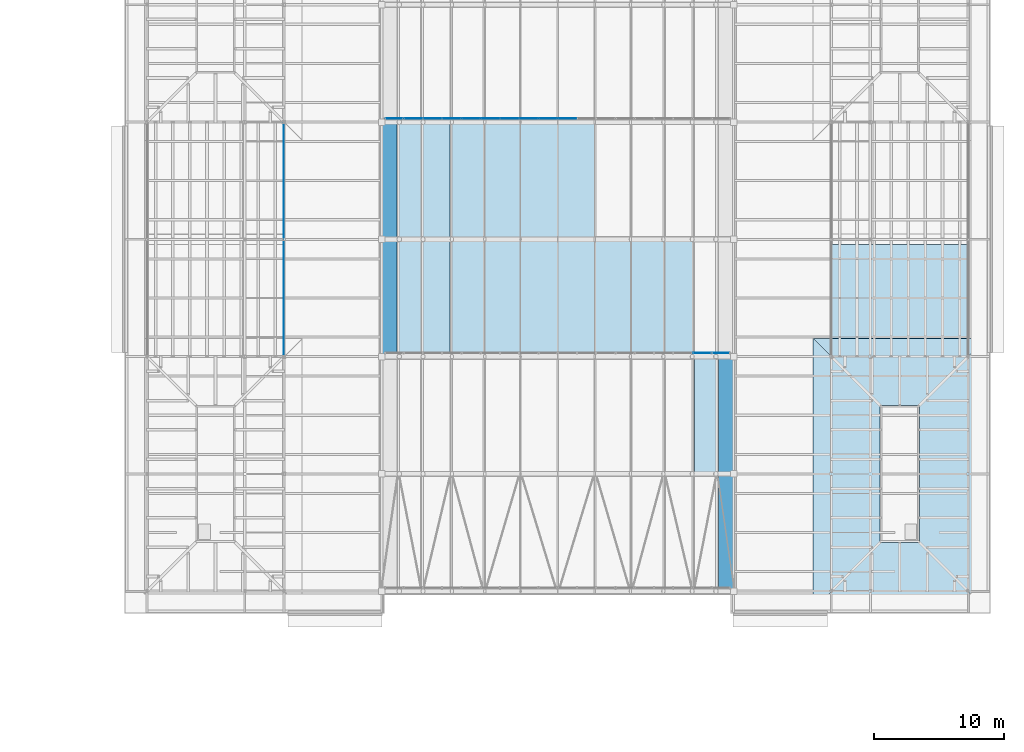
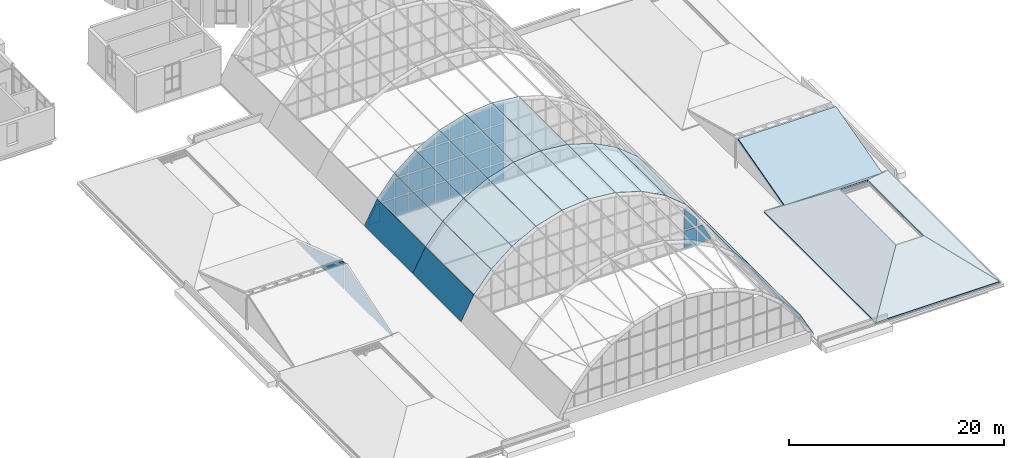
# One storey, part 77 of 121: 58 plates, 5 slabs, 2 elements without a shape of their own.
"""IFC4 building model written with IfcOpenShell, lengths in metres."""

from ifc_helpers import new_model, si_unit, direction, frame, origin, place, context, subcontext, project, spatial, polyline, outline, extrude, material, layer, layer_set, type_object, element, aggregate, save


model = new_model("IFC4")

# Units and contexts
model_context = context("Model", 3, precision=1e-05, world=origin(), true_north=direction((0.0, 1.0)))
body_context = subcontext(model_context, "Body", "Model", "MODEL_VIEW")
ifc_project = project(units=[si_unit("LENGTHUNIT", "METRE"), si_unit("AREAUNIT", "SQUARE_METRE"), si_unit("VOLUMEUNIT", "CUBIC_METRE"), si_unit("PLANEANGLEUNIT", "RADIAN"), si_unit("MASSUNIT", "GRAM", prefix="KILO")], contexts=[model_context])

# Site, building, storey
site_placement = place(None, origin())
site = spatial("IfcSite", under=ifc_project, at=site_placement, CompositionType="ELEMENT")
building_placement = place(site_placement, origin())
building = spatial("IfcBuilding", under=site, at=building_placement, Name="Golden Quay Civic Hall", CompositionType="ELEMENT")
storey_placement = place(building_placement, frame((0.0, 0.0, 18.60009765625)))
storey = spatial("IfcBuildingStorey", under=building, at=storey_placement, Name="L04", CompositionType="ELEMENT", Elevation=18.60009765625)

# Slabs
ifc_material_1 = material(Name="Concrete C35/45", Category="concrete")
ifc_layer_1 = layer(ifc_material_1, 0.14990234375)
ifc_layer_set_1 = layer_set([ifc_layer_1], Name="Concrete roof deck 150, Concrete C35/45")
slab_type = type_object("IfcSlabType", Name="Concrete roof deck 150", PredefinedType="ROOF", material=ifc_layer_set_1)
slab_1_placement = place(storey_placement, frame((105.10009765625, -1.39990234375, 0.18994140625), z_axis=(0.0, -0.600012135945, 0.799990897897), x_axis=(1.0, 0.0, 0.0)))
element("IfcSlab", 1, at=slab_1_placement, inside=storey, type_object=slab_type, Name="Roof deck EM-S south", PredefinedType="ROOF", context=body_context, shape_type="SweptSolid", body=[
    extrude(outline(polyline([(0.0, 0.0), (13.2998046875, 0.0), (8.14990234375, 6.437451172615724), (5.14990234375, 6.437451172615724), (0.0, 0.0)])), origin(), (0.0, -0.600012135945, -0.799990897897), 0.1875),
])
slab_2_placement = place(storey_placement, frame((105.10009765625, 19.39990234375, 0.18994140625), z_axis=(0.0, 0.600012135945, 0.799990897897), x_axis=(1.0, 0.0, 0.0)))
element("IfcSlab", 2, at=slab_2_placement, inside=storey, type_object=slab_type, Name="Roof deck EM-S north", PredefinedType="ROOF", context=body_context, shape_type="SweptSolid", body=[
    extrude(outline(polyline([(0.0, 0.0), (13.2998046875, 0.0), (8.14990234375, -6.437451172615724), (5.14990234375, -6.437451172615724), (0.0, 0.0)])), origin(), (0.0, 0.600012135945, -0.799990897897), 0.1875),
])
slab_3_placement = place(storey_placement, frame((105.10009765625, -1.39990234375, 0.18994140625), z_axis=(-0.600012135945, 0.0, 0.799990897897), x_axis=(0.0, 1.0, 0.0)))
element("IfcSlab", 3, at=slab_3_placement, inside=storey, type_object=slab_type, Name="Roof deck EM-S west", PredefinedType="ROOF", context=body_context, shape_type="SweptSolid", body=[
    extrude(outline(polyline([(0.0, 0.0), (20.7998046875, 0.0), (15.64990234375, -6.437451172615724), (5.14990234375, -6.437451172615724), (0.0, 0.0)])), origin(), (0.0, 0.600012135945, -0.799990897897), 0.1875),
])
slab_4_placement = place(storey_placement, frame((118.39990234375, -1.39990234375, 0.18994140625), z_axis=(0.600012135945, 0.0, 0.799990897897), x_axis=(0.0, 1.0, 0.0)))
element("IfcSlab", 4, at=slab_4_placement, inside=storey, type_object=slab_type, Name="Roof deck EM-S east", PredefinedType="ROOF", context=body_context, shape_type="SweptSolid", body=[
    extrude(outline(polyline([(0.0, 0.0), (20.7998046875, 0.0), (15.64990234375, 6.437451172615724), (5.14990234375, 6.437451172615724), (0.0, 0.0)])), origin(), (0.0, -0.600012135945, -0.799990897897), 0.1875),
])
slab_5_placement = place(storey_placement, frame((106.5, 18.0, 1.2421875), z_axis=(0.0, -0.262171514748, 0.965021293472), x_axis=(1.0, 0.0, 0.0)))
element("IfcSlab", 5, at=slab_5_placement, inside=storey, type_object=slab_type, Name="Roof deck gable south", PredefinedType="ROOF", context=body_context, shape_type="SweptSolid", body=[
    extrude(outline(polyline([(0.0, 0.0), (10.5, 0.0), (10.5, 8.91182165038812), (0.0, 8.91182165038812), (0.0, 0.0)])), origin(), (0.0, -0.262171514748, -0.965021293472), 0.155517578125),
])

# Curtain wall, plates
ifc_material_2 = material(Name="Fire-resisting glass and steel", Category="steel")
curtain_wall_type = type_object("IfcCurtainWallType", Name="Fire-resisting glazed curtain wall EI 120", PredefinedType="NOTDEFINED", material=ifc_material_2)
curtain_wall_1_placement = place(storey_placement, origin())
curtain_wall_1 = element("IfcCurtainWall", 6, at=curtain_wall_1_placement, inside=storey, type_object=curtain_wall_type, Name="Curtain wall tympanum fire1", PredefinedType="NOTDEFINED")
ifc_material_3 = material(Name="Fire-resisting laminated glass", Category="glass")
ifc_layer_2 = layer(ifc_material_3, 0.0400390625)
ifc_layer_set_2 = layer_set([ifc_layer_2], Name="Fire-resisting glazed panel 40")
plate_type_1 = type_object("IfcPlateType", Name="Fire-resisting glazed panel 40", PredefinedType="CURTAIN_PANEL", material=ifc_layer_set_2)
plate_1_placement = place(storey_placement, frame((97.26220703125, 18.2900390625, -0.130126953125), z_axis=(0.0, 1.0, 0.0), x_axis=(-1.0, 0.0, 0.0)))
plate_1 = element("IfcPlate", 7, at=plate_1_placement, type_object=plate_type_1, Name="Tympanum glass 17.1", PredefinedType="CURTAIN_PANEL", context=body_context, shape_type="SweptSolid", body=[
    extrude(outline(polyline([(0.0, 0.0), (1.357666015625, 0.0), (1.357666015625, 2.02001953125), (0.0, 2.02001953125), (0.0, 0.0)])), origin(), (0.0, 0.0, -1.0), 0.0400390625),
])
plate_2_placement = place(storey_placement, frame((97.26220703125, 18.2900390625, 2.06982421875), z_axis=(0.0, 1.0, 0.0), x_axis=(-1.0, 0.0, 0.0)))
plate_2 = element("IfcPlate", 8, at=plate_2_placement, type_object=plate_type_1, Name="Tympanum glass 17.2", PredefinedType="CURTAIN_PANEL", context=body_context, shape_type="SweptSolid", body=[
    extrude(outline(polyline([(0.0, 0.0), (1.357666015625, 0.0), (1.357666015625, 2.3271484375), (0.0, 0.677978515625), (0.0, 0.0)])), origin(), (0.0, 0.0, -1.0), 0.0400390625),
])
plate_3_placement = place(storey_placement, frame((98.679931640625, 18.2900390625, -0.130126953125), z_axis=(0.0, 1.0, 0.0), x_axis=(-1.0, 0.0, 0.0)))
plate_3 = element("IfcPlate", 9, at=plate_3_placement, type_object=plate_type_1, Name="Tympanum glass 18.1", PredefinedType="CURTAIN_PANEL", context=body_context, shape_type="SweptSolid", body=[
    extrude(outline(polyline([(0.0, 0.0), (1.297607421875, 0.0), (1.297607421875, 2.02001953125), (0.8349609375, 2.02001953125), (0.0, 0.37646484375), (0.0, 0.0)])), origin(), (0.0, 0.0, -1.0), 0.0400390625),
])
aggregate(curtain_wall_1, [plate_1, plate_2, plate_3])

curtain_wall_2_placement = place(storey_placement, origin())
curtain_wall_2 = element("IfcCurtainWall", 10, at=curtain_wall_2_placement, inside=storey, type_object=curtain_wall_type, Name="Curtain wall tympanum fire2", PredefinedType="NOTDEFINED")
plate_4_placement = place(storey_placement, frame((73.61767578125, 36.2900390625, -0.130126953125), z_axis=(0.0, 1.0, 0.0), x_axis=(-1.0, 0.0, 0.0)))
plate_4 = element("IfcPlate", 11, at=plate_4_placement, type_object=plate_type_1, Name="Tympanum glass 1.1", PredefinedType="CURTAIN_PANEL", context=body_context, shape_type="SweptSolid", body=[
    extrude(outline(polyline([(0.0, 0.0), (1.297607421875, 0.0), (1.297607421875, 0.37646484375), (0.4150390625, 2.02001953125), (0.0, 2.02001953125), (0.0, 0.0)])), origin(), (0.0, 0.0, -1.0), 0.0400390625),
])
plate_5_placement = place(storey_placement, frame((75.095458984375, 36.2900390625, -0.130126953125), z_axis=(0.0, 1.0, 0.0), x_axis=(-1.0, 0.0, 0.0)))
plate_5 = element("IfcPlate", 12, at=plate_5_placement, type_object=plate_type_1, Name="Tympanum glass 2.1", PredefinedType="CURTAIN_PANEL", context=body_context, shape_type="SweptSolid", body=[
    extrude(outline(polyline([(0.0, 0.0), (1.357666015625, 0.0), (1.357666015625, 2.02001953125), (0.0, 2.02001953125), (0.0, 0.0)])), origin(), (0.0, 0.0, -1.0), 0.0400390625),
])
plate_6_placement = place(storey_placement, frame((75.095458984375, 36.2900390625, 2.06982421875), z_axis=(0.0, 1.0, 0.0), x_axis=(-1.0, 0.0, 0.0)))
plate_6 = element("IfcPlate", 13, at=plate_6_placement, type_object=plate_type_1, Name="Tympanum glass 2.2", PredefinedType="CURTAIN_PANEL", context=body_context, shape_type="SweptSolid", body=[
    extrude(outline(polyline([(0.0, 0.0), (1.357666015625, 0.0), (1.357666015625, 0.677978515625), (0.0, 2.3271484375), (0.0, 0.0)])), origin(), (0.0, 0.0, -1.0), 0.0400390625),
])
plate_7_placement = place(storey_placement, frame((76.5732421875, 36.2900390625, -0.130126953125), z_axis=(0.0, 1.0, 0.0), x_axis=(-1.0, 0.0, 0.0)))
plate_7 = element("IfcPlate", 14, at=plate_7_placement, type_object=plate_type_1, Name="Tympanum glass 3.1", PredefinedType="CURTAIN_PANEL", context=body_context, shape_type="SweptSolid", body=[
    extrude(outline(polyline([(0.0, 0.0), (1.357666015625, 0.0), (1.357666015625, 2.02001953125), (0.0, 2.02001953125), (0.0, 0.0)])), origin(), (0.0, 0.0, -1.0), 0.0400390625),
])
plate_8_placement = place(storey_placement, frame((76.5732421875, 36.2900390625, 2.06982421875), z_axis=(0.0, 1.0, 0.0), x_axis=(-1.0, 0.0, 0.0)))
plate_8 = element("IfcPlate", 15, at=plate_8_placement, type_object=plate_type_1, Name="Tympanum glass 3.2", PredefinedType="CURTAIN_PANEL", context=body_context, shape_type="SweptSolid", body=[
    extrude(outline(polyline([(0.0, 0.0), (1.357666015625, 0.0), (1.357666015625, 2.02001953125), (0.0, 2.02001953125), (0.0, 0.0)])), origin(), (0.0, 0.0, -1.0), 0.0400390625),
])
plate_9_placement = place(storey_placement, frame((76.5732421875, 36.2900390625, 4.27001953125), z_axis=(0.0, 1.0, 0.0), x_axis=(-1.0, 0.0, 0.0)))
plate_9 = element("IfcPlate", 16, at=plate_9_placement, type_object=plate_type_1, Name="Tympanum glass 3.3", PredefinedType="CURTAIN_PANEL", context=body_context, shape_type="SweptSolid", body=[
    extrude(outline(polyline([(0.0, 0.0), (1.357666015625, 0.0), (1.357666015625, 0.31298828125), (0.0, 1.424560546875), (0.0, 0.0)])), origin(), (0.0, 0.0, -1.0), 0.0400390625),
])
plate_10_placement = place(storey_placement, frame((78.051025390625, 36.2900390625, -0.130126953125), z_axis=(0.0, 1.0, 0.0), x_axis=(-1.0, 0.0, 0.0)))
plate_10 = element("IfcPlate", 17, at=plate_10_placement, type_object=plate_type_1, Name="Tympanum glass 4.1", PredefinedType="CURTAIN_PANEL", context=body_context, shape_type="SweptSolid", body=[
    extrude(outline(polyline([(0.0, 0.0), (1.357666015625, 0.0), (1.357666015625, 2.02001953125), (0.0, 2.02001953125), (0.0, 0.0)])), origin(), (0.0, 0.0, -1.0), 0.0400390625),
])
plate_11_placement = place(storey_placement, frame((78.051025390625, 36.2900390625, 2.06982421875), z_axis=(0.0, 1.0, 0.0), x_axis=(-1.0, 0.0, 0.0)))
plate_11 = element("IfcPlate", 18, at=plate_11_placement, type_object=plate_type_1, Name="Tympanum glass 4.2", PredefinedType="CURTAIN_PANEL", context=body_context, shape_type="SweptSolid", body=[
    extrude(outline(polyline([(0.0, 0.0), (1.357666015625, 0.0), (1.357666015625, 2.02001953125), (0.0, 2.02001953125), (0.0, 0.0)])), origin(), (0.0, 0.0, -1.0), 0.0400390625),
])
plate_12_placement = place(storey_placement, frame((78.051025390625, 36.2900390625, 4.27001953125), z_axis=(0.0, 1.0, 0.0), x_axis=(-1.0, 0.0, 0.0)))
plate_12 = element("IfcPlate", 19, at=plate_12_placement, type_object=plate_type_1, Name="Tympanum glass 4.3", PredefinedType="CURTAIN_PANEL", context=body_context, shape_type="SweptSolid", body=[
    extrude(outline(polyline([(0.0, 0.0), (1.357666015625, 0.0), (1.357666015625, 1.522705078125), (0.75048828125, 2.019775390625), (0.0, 2.019775390625), (0.0, 0.0)])), origin(), (0.0, 0.0, -1.0), 0.0400390625),
])
plate_13_placement = place(storey_placement, frame((79.52880859375, 36.2900390625, -0.130126953125), z_axis=(0.0, 1.0, 0.0), x_axis=(-1.0, 0.0, 0.0)))
plate_13 = element("IfcPlate", 20, at=plate_13_placement, type_object=plate_type_1, Name="Tympanum glass 5.1", PredefinedType="CURTAIN_PANEL", context=body_context, shape_type="SweptSolid", body=[
    extrude(outline(polyline([(0.0, 0.0), (1.357666015625, 0.0), (1.357666015625, 2.02001953125), (0.0, 2.02001953125), (0.0, 0.0)])), origin(), (0.0, 0.0, -1.0), 0.0400390625),
])
plate_14_placement = place(storey_placement, frame((79.52880859375, 36.2900390625, 2.06982421875), z_axis=(0.0, 1.0, 0.0), x_axis=(-1.0, 0.0, 0.0)))
plate_14 = element("IfcPlate", 21, at=plate_14_placement, type_object=plate_type_1, Name="Tympanum glass 5.2", PredefinedType="CURTAIN_PANEL", context=body_context, shape_type="SweptSolid", body=[
    extrude(outline(polyline([(0.0, 0.0), (1.357666015625, 0.0), (1.357666015625, 2.02001953125), (0.0, 2.02001953125), (0.0, 0.0)])), origin(), (0.0, 0.0, -1.0), 0.0400390625),
])
plate_15_placement = place(storey_placement, frame((79.52880859375, 36.2900390625, 4.27001953125), z_axis=(0.0, 1.0, 0.0), x_axis=(-1.0, 0.0, 0.0)))
plate_15 = element("IfcPlate", 22, at=plate_15_placement, type_object=plate_type_1, Name="Tympanum glass 5.3", PredefinedType="CURTAIN_PANEL", context=body_context, shape_type="SweptSolid", body=[
    extrude(outline(polyline([(0.0, 0.0), (1.357666015625, 0.0), (1.357666015625, 2.019775390625), (0.0, 2.019775390625), (0.0, 0.0)])), origin(), (0.0, 0.0, -1.0), 0.0400390625),
])
plate_16_placement = place(storey_placement, frame((79.52880859375, 36.2900390625, 6.469970703125), z_axis=(0.0, 1.0, 0.0), x_axis=(-1.0, 0.0, 0.0)))
plate_16 = element("IfcPlate", 23, at=plate_16_placement, type_object=plate_type_1, Name="Tympanum glass 5.4", PredefinedType="CURTAIN_PANEL", context=body_context, shape_type="SweptSolid", body=[
    extrude(outline(polyline([(0.0, 0.0), (1.357666015625, 0.0), (1.357666015625, 0.34130859375), (0.0, 1.065673828125), (0.0, 0.0)])), origin(), (0.0, 0.0, -1.0), 0.0400390625),
])
plate_17_placement = place(storey_placement, frame((81.006591796875, 36.2900390625, -0.130126953125), z_axis=(0.0, 1.0, 0.0), x_axis=(-1.0, 0.0, 0.0)))
plate_17 = element("IfcPlate", 24, at=plate_17_placement, type_object=plate_type_1, Name="Tympanum glass 6.1", PredefinedType="CURTAIN_PANEL", context=body_context, shape_type="SweptSolid", body=[
    extrude(outline(polyline([(0.0, 0.0), (1.357666015625, 0.0), (1.357666015625, 2.02001953125), (0.0, 2.02001953125), (0.0, 0.0)])), origin(), (0.0, 0.0, -1.0), 0.0400390625),
])
plate_18_placement = place(storey_placement, frame((81.006591796875, 36.2900390625, 2.06982421875), z_axis=(0.0, 1.0, 0.0), x_axis=(-1.0, 0.0, 0.0)))
plate_18 = element("IfcPlate", 25, at=plate_18_placement, type_object=plate_type_1, Name="Tympanum glass 6.2", PredefinedType="CURTAIN_PANEL", context=body_context, shape_type="SweptSolid", body=[
    extrude(outline(polyline([(0.0, 0.0), (1.357666015625, 0.0), (1.357666015625, 2.02001953125), (0.0, 2.02001953125), (0.0, 0.0)])), origin(), (0.0, 0.0, -1.0), 0.0400390625),
])
plate_19_placement = place(storey_placement, frame((81.006591796875, 36.2900390625, 4.27001953125), z_axis=(0.0, 1.0, 0.0), x_axis=(-1.0, 0.0, 0.0)))
plate_19 = element("IfcPlate", 26, at=plate_19_placement, type_object=plate_type_1, Name="Tympanum glass 6.3", PredefinedType="CURTAIN_PANEL", context=body_context, shape_type="SweptSolid", body=[
    extrude(outline(polyline([(0.0, 0.0), (1.357666015625, 0.0), (1.357666015625, 2.019775390625), (0.0, 2.019775390625), (0.0, 0.0)])), origin(), (0.0, 0.0, -1.0), 0.0400390625),
])
plate_20_placement = place(storey_placement, frame((81.006591796875, 36.2900390625, 6.469970703125), z_axis=(0.0, 1.0, 0.0), x_axis=(-1.0, 0.0, 0.0)))
plate_20 = element("IfcPlate", 27, at=plate_20_placement, type_object=plate_type_1, Name="Tympanum glass 6.4", PredefinedType="CURTAIN_PANEL", context=body_context, shape_type="SweptSolid", body=[
    extrude(outline(polyline([(0.0, 0.0), (1.357666015625, 0.0), (1.357666015625, 1.129638671875), (1.093994140625, 1.270263671875), (0.0, 1.619384765625), (0.0, 0.0)])), origin(), (0.0, 0.0, -1.0), 0.0400390625),
])
plate_21_placement = place(storey_placement, frame((82.484375, 36.2900390625, -0.130126953125), z_axis=(0.0, 1.0, 0.0), x_axis=(-1.0, 0.0, 0.0)))
plate_21 = element("IfcPlate", 28, at=plate_21_placement, type_object=plate_type_1, Name="Tympanum glass 7.1", PredefinedType="CURTAIN_PANEL", context=body_context, shape_type="SweptSolid", body=[
    extrude(outline(polyline([(0.0, 0.0), (1.357666015625, 0.0), (1.357666015625, 2.02001953125), (0.0, 2.02001953125), (0.0, 0.0)])), origin(), (0.0, 0.0, -1.0), 0.0400390625),
])
plate_22_placement = place(storey_placement, frame((82.484375, 36.2900390625, 2.06982421875), z_axis=(0.0, 1.0, 0.0), x_axis=(-1.0, 0.0, 0.0)))
plate_22 = element("IfcPlate", 29, at=plate_22_placement, type_object=plate_type_1, Name="Tympanum glass 7.2", PredefinedType="CURTAIN_PANEL", context=body_context, shape_type="SweptSolid", body=[
    extrude(outline(polyline([(0.0, 0.0), (1.357666015625, 0.0), (1.357666015625, 2.02001953125), (0.0, 2.02001953125), (0.0, 0.0)])), origin(), (0.0, 0.0, -1.0), 0.0400390625),
])
plate_23_placement = place(storey_placement, frame((82.484375, 36.2900390625, 4.27001953125), z_axis=(0.0, 1.0, 0.0), x_axis=(-1.0, 0.0, 0.0)))
plate_23 = element("IfcPlate", 30, at=plate_23_placement, type_object=plate_type_1, Name="Tympanum glass 7.3", PredefinedType="CURTAIN_PANEL", context=body_context, shape_type="SweptSolid", body=[
    extrude(outline(polyline([(0.0, 0.0), (1.357666015625, 0.0), (1.357666015625, 2.019775390625), (0.0, 2.019775390625), (0.0, 0.0)])), origin(), (0.0, 0.0, -1.0), 0.0400390625),
])
plate_24_placement = place(storey_placement, frame((82.484375, 36.2900390625, 6.469970703125), z_axis=(0.0, 1.0, 0.0), x_axis=(-1.0, 0.0, 0.0)))
plate_24 = element("IfcPlate", 31, at=plate_24_placement, type_object=plate_type_1, Name="Tympanum glass 7.4", PredefinedType="CURTAIN_PANEL", context=body_context, shape_type="SweptSolid", body=[
    extrude(outline(polyline([(0.0, 0.0), (1.357666015625, 0.0), (1.357666015625, 1.65576171875), (0.0, 2.06689453125), (0.0, 0.0)])), origin(), (0.0, 0.0, -1.0), 0.0400390625),
])
plate_25_placement = place(storey_placement, frame((83.962158203125, 36.2900390625, -0.130126953125), z_axis=(0.0, 1.0, 0.0), x_axis=(-1.0, 0.0, 0.0)))
plate_25 = element("IfcPlate", 32, at=plate_25_placement, type_object=plate_type_1, Name="Tympanum glass 8.1", PredefinedType="CURTAIN_PANEL", context=body_context, shape_type="SweptSolid", body=[
    extrude(outline(polyline([(0.0, 0.0), (1.357666015625, 0.0), (1.357666015625, 2.02001953125), (0.0, 2.02001953125), (0.0, 0.0)])), origin(), (0.0, 0.0, -1.0), 0.0400390625),
])
plate_26_placement = place(storey_placement, frame((83.962158203125, 36.2900390625, 2.06982421875), z_axis=(0.0, 1.0, 0.0), x_axis=(-1.0, 0.0, 0.0)))
plate_26 = element("IfcPlate", 33, at=plate_26_placement, type_object=plate_type_1, Name="Tympanum glass 8.2", PredefinedType="CURTAIN_PANEL", context=body_context, shape_type="SweptSolid", body=[
    extrude(outline(polyline([(0.0, 0.0), (1.357666015625, 0.0), (1.357666015625, 2.02001953125), (0.0, 2.02001953125), (0.0, 0.0)])), origin(), (0.0, 0.0, -1.0), 0.0400390625),
])
plate_27_placement = place(storey_placement, frame((83.962158203125, 36.2900390625, 4.27001953125), z_axis=(0.0, 1.0, 0.0), x_axis=(-1.0, 0.0, 0.0)))
plate_27 = element("IfcPlate", 34, at=plate_27_placement, type_object=plate_type_1, Name="Tympanum glass 8.3", PredefinedType="CURTAIN_PANEL", context=body_context, shape_type="SweptSolid", body=[
    extrude(outline(polyline([(0.0, 0.0), (1.357666015625, 0.0), (1.357666015625, 2.019775390625), (0.0, 2.019775390625), (0.0, 0.0)])), origin(), (0.0, 0.0, -1.0), 0.0400390625),
])
plate_28_placement = place(storey_placement, frame((83.962158203125, 36.2900390625, 6.469970703125), z_axis=(0.0, 1.0, 0.0), x_axis=(-1.0, 0.0, 0.0)))
plate_28 = element("IfcPlate", 35, at=plate_28_placement, type_object=plate_type_1, Name="Tympanum glass 8.4", PredefinedType="CURTAIN_PANEL", context=body_context, shape_type="SweptSolid", body=[
    extrude(outline(polyline([(0.0, 0.0), (1.357666015625, 0.0), (1.357666015625, 2.103271484375), (1.310302734375, 2.11767578125), (0.0, 2.254638671875), (0.0, 0.0)])), origin(), (0.0, 0.0, -1.0), 0.0400390625),
])
plate_29_placement = place(storey_placement, frame((85.43994140625, 36.2900390625, -0.130126953125), z_axis=(0.0, 1.0, 0.0), x_axis=(-1.0, 0.0, 0.0)))
plate_29 = element("IfcPlate", 36, at=plate_29_placement, type_object=plate_type_1, Name="Tympanum glass 9.1", PredefinedType="CURTAIN_PANEL", context=body_context, shape_type="SweptSolid", body=[
    extrude(outline(polyline([(0.0, 0.0), (1.357666015625, 0.0), (1.357666015625, 2.02001953125), (0.0, 2.02001953125), (0.0, 0.0)])), origin(), (0.0, 0.0, -1.0), 0.0400390625),
])
plate_30_placement = place(storey_placement, frame((85.43994140625, 36.2900390625, 2.06982421875), z_axis=(0.0, 1.0, 0.0), x_axis=(-1.0, 0.0, 0.0)))
plate_30 = element("IfcPlate", 37, at=plate_30_placement, type_object=plate_type_1, Name="Tympanum glass 9.2", PredefinedType="CURTAIN_PANEL", context=body_context, shape_type="SweptSolid", body=[
    extrude(outline(polyline([(0.0, 0.0), (1.357666015625, 0.0), (1.357666015625, 2.02001953125), (0.0, 2.02001953125), (0.0, 0.0)])), origin(), (0.0, 0.0, -1.0), 0.0400390625),
])
plate_31_placement = place(storey_placement, frame((85.43994140625, 36.2900390625, 4.27001953125), z_axis=(0.0, 1.0, 0.0), x_axis=(-1.0, 0.0, 0.0)))
plate_31 = element("IfcPlate", 38, at=plate_31_placement, type_object=plate_type_1, Name="Tympanum glass 9.3", PredefinedType="CURTAIN_PANEL", context=body_context, shape_type="SweptSolid", body=[
    extrude(outline(polyline([(0.0, 0.0), (1.357666015625, 0.0), (1.357666015625, 2.019775390625), (0.0, 2.019775390625), (0.0, 0.0)])), origin(), (0.0, 0.0, -1.0), 0.0400390625),
])
plate_32_placement = place(storey_placement, frame((85.43994140625, 36.2900390625, 6.469970703125), z_axis=(0.0, 1.0, 0.0), x_axis=(-1.0, 0.0, 0.0)))
plate_32 = element("IfcPlate", 39, at=plate_32_placement, type_object=plate_type_1, Name="Tympanum glass 9.4", PredefinedType="CURTAIN_PANEL", context=body_context, shape_type="SweptSolid", body=[
    extrude(outline(polyline([(0.0, 0.0), (1.357666015625, 0.0), (1.357666015625, 2.266357421875), (0.0, 2.39990234375), (0.0, 0.0)])), origin(), (0.0, 0.0, -1.0), 0.0400390625),
])
plate_33_placement = place(storey_placement, frame((86.917724609375, 36.2900390625, -0.130126953125), z_axis=(0.0, 1.0, 0.0), x_axis=(-1.0, 0.0, 0.0)))
plate_33 = element("IfcPlate", 40, at=plate_33_placement, type_object=plate_type_1, Name="Tympanum glass 10.1", PredefinedType="CURTAIN_PANEL", context=body_context, shape_type="SweptSolid", body=[
    extrude(outline(polyline([(0.0, 0.0), (1.357666015625, 0.0), (1.357666015625, 2.02001953125), (0.0, 2.02001953125), (0.0, 0.0)])), origin(), (0.0, 0.0, -1.0), 0.0400390625),
])
plate_34_placement = place(storey_placement, frame((86.917724609375, 36.2900390625, 2.06982421875), z_axis=(0.0, 1.0, 0.0), x_axis=(-1.0, 0.0, 0.0)))
plate_34 = element("IfcPlate", 41, at=plate_34_placement, type_object=plate_type_1, Name="Tympanum glass 10.2", PredefinedType="CURTAIN_PANEL", context=body_context, shape_type="SweptSolid", body=[
    extrude(outline(polyline([(0.0, 0.0), (1.357666015625, 0.0), (1.357666015625, 2.02001953125), (0.0, 2.02001953125), (0.0, 0.0)])), origin(), (0.0, 0.0, -1.0), 0.0400390625),
])
plate_35_placement = place(storey_placement, frame((86.917724609375, 36.2900390625, 4.27001953125), z_axis=(0.0, 1.0, 0.0), x_axis=(-1.0, 0.0, 0.0)))
plate_35 = element("IfcPlate", 42, at=plate_35_placement, type_object=plate_type_1, Name="Tympanum glass 10.3", PredefinedType="CURTAIN_PANEL", context=body_context, shape_type="SweptSolid", body=[
    extrude(outline(polyline([(0.0, 0.0), (1.357666015625, 0.0), (1.357666015625, 2.019775390625), (0.0, 2.019775390625), (0.0, 0.0)])), origin(), (0.0, 0.0, -1.0), 0.0400390625),
])
plate_36_placement = place(storey_placement, frame((86.917724609375, 36.2900390625, 6.469970703125), z_axis=(0.0, 1.0, 0.0), x_axis=(-1.0, 0.0, 0.0)))
plate_36 = element("IfcPlate", 43, at=plate_36_placement, type_object=plate_type_1, Name="Tympanum glass 10.4", PredefinedType="CURTAIN_PANEL", context=body_context, shape_type="SweptSolid", body=[
    extrude(outline(polyline([(0.0, 0.0), (1.357666015625, 0.0), (1.357666015625, 2.39990234375), (0.0, 2.266357421875), (0.0, 0.0)])), origin(), (0.0, 0.0, -1.0), 0.0400390625),
])
aggregate(curtain_wall_2, [plate_4, plate_5, plate_6, plate_7, plate_8, plate_9, plate_10, plate_11, plate_12, plate_13, plate_14, plate_15, plate_16, plate_17, plate_18, plate_19, plate_20, plate_21, plate_22, plate_23, plate_24, plate_25, plate_26, plate_27, plate_28, plate_29, plate_30, plate_31, plate_32, plate_33, plate_34, plate_35, plate_36])

# Plates
ifc_material_4 = material(Name="Laminated glass", Category="glass")
ifc_layer_3 = layer(ifc_material_4, 0.030029296875)
ifc_layer_set_3 = layer_set([ifc_layer_3], Name="Laminated roof glazing 30")
plate_type_2 = type_object("IfcPlateType", Name="Laminated roof glazing 30", PredefinedType="SHEET", material=ifc_layer_set_3)
plate_37_placement = place(storey_placement, frame((64.5, 18.10009765625, 0.919921875), z_axis=(1.0, 0.0, 0.0), x_axis=(0.0, 1.0, 0.0)))
element("IfcPlate", 44, at=plate_37_placement, inside=storey, type_object=plate_type_2, Name="Gable end glazing 2 south", PredefinedType="SHEET", context=body_context, shape_type="SweptSolid", body=[
    extrude(outline(polyline([(0.0, 0.0), (8.7998046875, 0.0), (8.7998046875, 3.085693359375), (0.0, 0.2099609375), (0.0, 0.0)])), origin(), (0.0, 0.0, -1.0), 0.030029296875),
])
plate_38_placement = place(storey_placement, frame((64.5, 27.10009765625, 0.919921875), z_axis=(1.0, 0.0, 0.0), x_axis=(0.0, 1.0, 0.0)))
element("IfcPlate", 45, at=plate_38_placement, inside=storey, type_object=plate_type_2, Name="Gable end glazing 2 north", PredefinedType="SHEET", context=body_context, shape_type="SweptSolid", body=[
    extrude(outline(polyline([(0.0, 0.0), (8.7998046875, 0.0), (8.7998046875, 0.2099609375), (0.0, 3.085693359375), (0.0, 0.0)])), origin(), (0.0, 0.0, -1.0), 0.030029296875),
])
ifc_material_5 = material(Name="Laminated glass", Category="glass")
ifc_layer_4 = layer(ifc_material_5, 0.030029296875)
ifc_layer_set_4 = layer_set([ifc_layer_4], Name="Laminated vault glazing 30")
plate_type_3 = type_object("IfcPlateType", Name="Laminated vault glazing 30", PredefinedType="SHEET", material=ifc_layer_set_4)
plate_39_placement = place(storey_placement, frame((97.841552734375, 0.0, 2.7490234375), z_axis=(0.881024300134, 0.0, 0.47307101219), x_axis=(0.47307101219, 0.0, -0.881024300134)))
element("IfcPlate", 46, at=plate_39_placement, inside=storey, type_object=plate_type_3, Name="Vault glazing 1.12", PredefinedType="SHEET", context=body_context, shape_type="SweptSolid", body=[
    extrude(outline(polyline([(0.0, 0.0), (2.9018956964211977, 0.0), (2.9018956964211977, 9.0), (0.0, 9.0), (0.0, 0.0)])), origin(), (0.0, 0.0, -1.0), 0.030029296875),
])
plate_40_placement = place(storey_placement, frame((95.993896484375, 9.0, 4.994140625), z_axis=(0.7720006594, 0.0, 0.635621728614), x_axis=(0.635621728614, 0.0, -0.7720006594)))
element("IfcPlate", 47, at=plate_40_placement, inside=storey, type_object=plate_type_3, Name="Vault glazing 2.11", PredefinedType="SHEET", context=body_context, shape_type="SweptSolid", body=[
    extrude(outline(polyline([(0.0, 0.0), (2.901855520100459, 0.0), (2.901855520100459, 9.0), (0.0, 9.0), (0.0, 0.0)])), origin(), (0.0, 0.0, -1.0), 0.030029296875),
])
for number, where, z_axis, x_axis, name in (
    (48, (97.841552734375, 9.0, 2.7490234375), (0.881024300134, 0.0, 0.47307101219), (0.47307101219, 0.0, -0.881024300134), "Vault glazing 2.12"),
    (49, (71.78564453125, 18.0, 0.1923828125), (-0.881024300134, 0.0, 0.47307101219), (0.47307101219, 0.0, 0.881024300134), "Vault glazing 3.1"),
):
    element("IfcPlate", number, at=place(storey_placement, frame(where, z_axis=z_axis, x_axis=x_axis)), inside=storey, type_object=plate_type_3, Name=name, PredefinedType="SHEET", context=body_context, shape_type="SweptSolid", body=[
        extrude(outline(polyline([(0.0, 0.0), (2.9018956964211977, 0.0), (2.9018956964211977, 9.0), (0.0, 9.0), (0.0, 0.0)])), origin(), (0.0, 0.0, -1.0), 0.030029296875),
    ])
plate_41_placement = place(storey_placement, frame((73.16162109375, 18.0, 2.75390625), z_axis=(-0.7720006594, 0.0, 0.635621728614), x_axis=(0.635621728614, 0.0, 0.7720006594)))
element("IfcPlate", 50, at=plate_41_placement, inside=storey, type_object=plate_type_3, Name="Vault glazing 3.2", PredefinedType="SHEET", context=body_context, shape_type="SweptSolid", body=[
    extrude(outline(polyline([(0.0, 0.0), (2.901855520100459, 0.0), (2.901855520100459, 9.0), (0.0, 9.0), (0.0, 0.0)])), origin(), (0.0, 0.0, -1.0), 0.030029296875),
])
plate_42_placement = place(storey_placement, frame((75.01025390625, 18.0, 4.998291015625), z_axis=(-0.633448519494, 0.0, 0.77378483647), x_axis=(0.77378483647, 0.0, 0.633448519494)))
element("IfcPlate", 51, at=plate_42_placement, inside=storey, type_object=plate_type_3, Name="Vault glazing 3.3", PredefinedType="SHEET", context=body_context, shape_type="SweptSolid", body=[
    extrude(outline(polyline([(0.0, 0.0), (2.901790294014807, 0.0), (2.901790294014807, 9.0), (0.0, 9.0), (0.0, 0.0)])), origin(), (0.0, 0.0, -1.0), 0.030029296875),
])
plate_43_placement = place(storey_placement, frame((77.260498046875, 18.0, 6.839599609375), z_axis=(-0.470649370087, 0.0, 0.882320333233), x_axis=(0.882320333233, 0.0, 0.470649370087)))
element("IfcPlate", 52, at=plate_43_placement, inside=storey, type_object=plate_type_3, Name="Vault glazing 3.4", PredefinedType="SHEET", context=body_context, shape_type="SweptSolid", body=[
    extrude(outline(polyline([(0.0, 0.0), (2.901783669649179, 0.0), (2.901783669649179, 9.0), (0.0, 9.0), (0.0, 0.0)])), origin(), (0.0, 0.0, -1.0), 0.030029296875),
])
plate_44_placement = place(storey_placement, frame((79.826171875, 18.0, 8.20751953125), z_axis=(-0.289755197495, 0.0, 0.957100791727), x_axis=(0.957100791727, 0.0, 0.289755197495)))
element("IfcPlate", 53, at=plate_44_placement, inside=storey, type_object=plate_type_3, Name="Vault glazing 3.5", PredefinedType="SHEET", context=body_context, shape_type="SweptSolid", body=[
    extrude(outline(polyline([(0.0, 0.0), (2.9018299577295465, 0.0), (2.9018299577295465, 9.0), (0.0, 9.0), (0.0, 0.0)])), origin(), (0.0, 0.0, -1.0), 0.030029296875),
])
for number, where, z_axis, x_axis, name in (
    (54, (82.609130859375, 18.0, 9.049560546875), (-0.09784592374, 0.0, 0.995201575163), (0.995201575163, 0.0, 0.09784592374), "Vault glazing 3.6"),
    (55, (85.5029296875, 18.0, 9.33349609375), (0.09784592374, 0.0, 0.995201575163), (0.995201575163, 0.0, -0.09784592374), "Vault glazing 3.7"),
):
    element("IfcPlate", number, at=place(storey_placement, frame(where, z_axis=z_axis, x_axis=x_axis)), inside=storey, type_object=plate_type_3, Name=name, PredefinedType="SHEET", context=body_context, shape_type="SweptSolid", body=[
        extrude(outline(polyline([(0.0, 0.0), (2.901863828592777, 0.0), (2.901863828592777, 9.0), (0.0, 9.0), (0.0, 0.0)])), origin(), (0.0, 0.0, -1.0), 0.030029296875),
    ])
plate_45_placement = place(storey_placement, frame((88.396484375, 18.0, 9.04833984375), z_axis=(0.289755197495, 0.0, 0.957100791727), x_axis=(0.957100791727, 0.0, -0.289755197495)))
element("IfcPlate", 56, at=plate_45_placement, inside=storey, type_object=plate_type_3, Name="Vault glazing 3.8", PredefinedType="SHEET", context=body_context, shape_type="SweptSolid", body=[
    extrude(outline(polyline([(0.0, 0.0), (2.9018299577295465, 0.0), (2.9018299577295465, 9.0), (0.0, 9.0), (0.0, 0.0)])), origin(), (0.0, 0.0, -1.0), 0.030029296875),
])
plate_46_placement = place(storey_placement, frame((91.17919921875, 18.0, 8.205322265625), z_axis=(0.470649370087, 0.0, 0.882320333233), x_axis=(0.882320333233, 0.0, -0.470649370087)))
element("IfcPlate", 57, at=plate_46_placement, inside=storey, type_object=plate_type_3, Name="Vault glazing 3.9", PredefinedType="SHEET", context=body_context, shape_type="SweptSolid", body=[
    extrude(outline(polyline([(0.0, 0.0), (2.901783669649179, 0.0), (2.901783669649179, 9.0), (0.0, 9.0), (0.0, 0.0)])), origin(), (0.0, 0.0, -1.0), 0.030029296875),
])
plate_47_placement = place(storey_placement, frame((93.744384765625, 18.0, 6.83642578125), z_axis=(0.633448519494, 0.0, 0.77378483647), x_axis=(0.77378483647, 0.0, -0.633448519494)))
element("IfcPlate", 58, at=plate_47_placement, inside=storey, type_object=plate_type_3, Name="Vault glazing 3.10", PredefinedType="SHEET", context=body_context, shape_type="SweptSolid", body=[
    extrude(outline(polyline([(0.0, 0.0), (2.901790294014807, 0.0), (2.901790294014807, 9.0), (0.0, 9.0), (0.0, 0.0)])), origin(), (0.0, 0.0, -1.0), 0.030029296875),
])
plate_48_placement = place(storey_placement, frame((71.78564453125, 27.0, 0.1923828125), z_axis=(-0.881024300134, 0.0, 0.47307101219), x_axis=(0.47307101219, 0.0, 0.881024300134)))
element("IfcPlate", 59, at=plate_48_placement, inside=storey, type_object=plate_type_3, Name="Vault glazing 4.1", PredefinedType="SHEET", context=body_context, shape_type="SweptSolid", body=[
    extrude(outline(polyline([(0.0, 0.0), (2.9018956964211977, 0.0), (2.9018956964211977, 9.0), (0.0, 9.0), (0.0, 0.0)])), origin(), (0.0, 0.0, -1.0), 0.030029296875),
])
plate_49_placement = place(storey_placement, frame((73.16162109375, 27.0, 2.75390625), z_axis=(-0.7720006594, 0.0, 0.635621728614), x_axis=(0.635621728614, 0.0, 0.7720006594)))
element("IfcPlate", 60, at=plate_49_placement, inside=storey, type_object=plate_type_3, Name="Vault glazing 4.2", PredefinedType="SHEET", context=body_context, shape_type="SweptSolid", body=[
    extrude(outline(polyline([(0.0, 0.0), (2.901855520100459, 0.0), (2.901855520100459, 9.0), (0.0, 9.0), (0.0, 0.0)])), origin(), (0.0, 0.0, -1.0), 0.030029296875),
])
plate_50_placement = place(storey_placement, frame((75.01025390625, 27.0, 4.998291015625), z_axis=(-0.633448519494, 0.0, 0.77378483647), x_axis=(0.77378483647, 0.0, 0.633448519494)))
element("IfcPlate", 61, at=plate_50_placement, inside=storey, type_object=plate_type_3, Name="Vault glazing 4.3", PredefinedType="SHEET", context=body_context, shape_type="SweptSolid", body=[
    extrude(outline(polyline([(0.0, 0.0), (2.901790294014807, 0.0), (2.901790294014807, 9.0), (0.0, 9.0), (0.0, 0.0)])), origin(), (0.0, 0.0, -1.0), 0.030029296875),
])
plate_51_placement = place(storey_placement, frame((77.260498046875, 27.0, 6.839599609375), z_axis=(-0.470649370087, 0.0, 0.882320333233), x_axis=(0.882320333233, 0.0, 0.470649370087)))
element("IfcPlate", 62, at=plate_51_placement, inside=storey, type_object=plate_type_3, Name="Vault glazing 4.4", PredefinedType="SHEET", context=body_context, shape_type="SweptSolid", body=[
    extrude(outline(polyline([(0.0, 0.0), (2.901783669649179, 0.0), (2.901783669649179, 9.0), (0.0, 9.0), (0.0, 0.0)])), origin(), (0.0, 0.0, -1.0), 0.030029296875),
])
plate_52_placement = place(storey_placement, frame((79.826171875, 27.0, 8.20751953125), z_axis=(-0.289755197495, 0.0, 0.957100791727), x_axis=(0.957100791727, 0.0, 0.289755197495)))
element("IfcPlate", 63, at=plate_52_placement, inside=storey, type_object=plate_type_3, Name="Vault glazing 4.5", PredefinedType="SHEET", context=body_context, shape_type="SweptSolid", body=[
    extrude(outline(polyline([(0.0, 0.0), (2.9018299577295465, 0.0), (2.9018299577295465, 9.0), (0.0, 9.0), (0.0, 0.0)])), origin(), (0.0, 0.0, -1.0), 0.030029296875),
])
for number, where, z_axis, x_axis, name in (
    (64, (82.609130859375, 27.0, 9.049560546875), (-0.09784592374, 0.0, 0.995201575163), (0.995201575163, 0.0, 0.09784592374), "Vault glazing 4.6"),
    (65, (85.5029296875, 27.0, 9.33349609375), (0.09784592374, 0.0, 0.995201575163), (0.995201575163, 0.0, -0.09784592374), "Vault glazing 4.7"),
):
    element("IfcPlate", number, at=place(storey_placement, frame(where, z_axis=z_axis, x_axis=x_axis)), inside=storey, type_object=plate_type_3, Name=name, PredefinedType="SHEET", context=body_context, shape_type="SweptSolid", body=[
        extrude(outline(polyline([(0.0, 0.0), (2.901863828592777, 0.0), (2.901863828592777, 9.0), (0.0, 9.0), (0.0, 0.0)])), origin(), (0.0, 0.0, -1.0), 0.030029296875),
    ])

save(model, "model.ifc")
